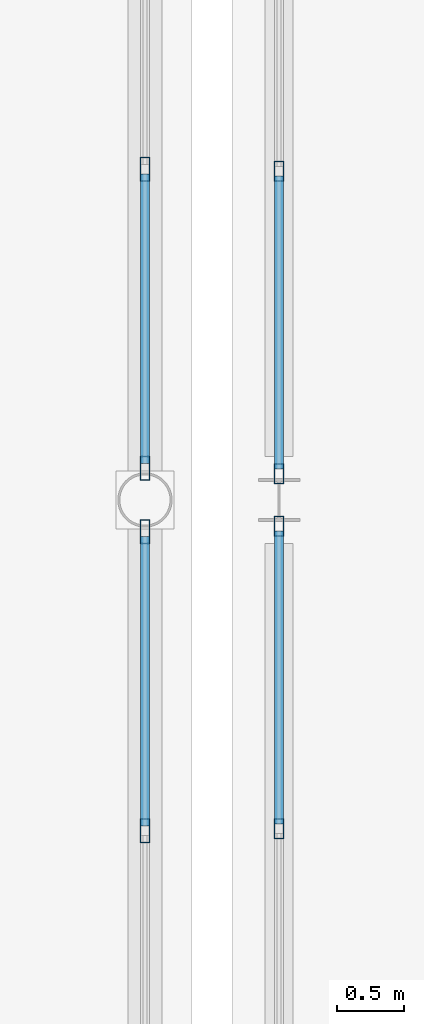
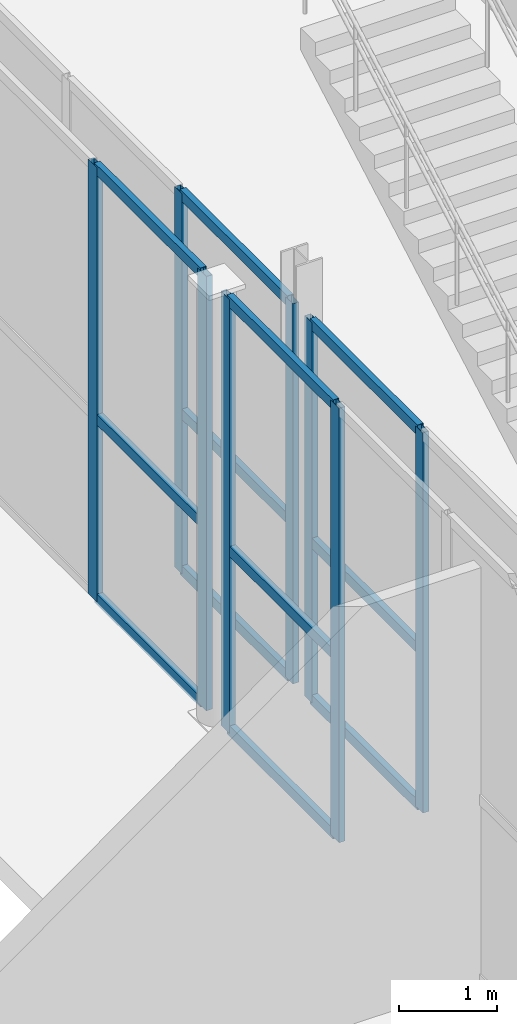
# One storey, part 49 of 83: 20 members, 4 elements without a shape of their own.
"""IFC4 building model written with IfcOpenShell, lengths in metres."""

from ifc_helpers import new_model, si_unit, direction, frame, origin, origin_2d, place, context, subcontext, project, spatial, hollow_rectangle, extrude, material, layer, layer_set, material_profile, profile_set, type_object, element, aggregate, save


model = new_model("IFC4")

# Units and contexts
model_context = context("Model", 3, precision=1e-05, world=origin(), true_north=direction((0.0, 1.0)))
body_context = subcontext(model_context, "Body", "Model", "MODEL_VIEW")
ifc_project = project(units=[si_unit("LENGTHUNIT", "METRE"), si_unit("AREAUNIT", "SQUARE_METRE"), si_unit("VOLUMEUNIT", "CUBIC_METRE"), si_unit("PLANEANGLEUNIT", "RADIAN"), si_unit("MASSUNIT", "GRAM", prefix="KILO")], contexts=[model_context])

# Site, building, storey
site_placement = place(None, origin())
site = spatial("IfcSite", under=ifc_project, at=site_placement, CompositionType="ELEMENT")
building_placement = place(site_placement, origin())
building = spatial("IfcBuilding", under=site, at=building_placement, Name="Quillay Park Conservatory", CompositionType="ELEMENT")
storey_placement = place(building_placement, origin())
storey = spatial("IfcBuildingStorey", under=building, at=storey_placement, Name="L00", CompositionType="ELEMENT", Elevation=0.0)

# Curtain wall, members
ifc_material_1 = material(Name="Thermally Broken Anodised Aluminium 6063-T6", Category="aluminium")
ifc_layer_1 = layer(ifc_material_1, 0.1650390625)
ifc_layer_set_1 = layer_set([ifc_layer_1], Name="UNITISED CURTAIN WALL PODIUM (Thermally Broken Anodised Aluminium 6063-T6)")
curtain_wall_type_1 = type_object("IfcCurtainWallType", Name="UNITISED CURTAIN WALL PODIUM", PredefinedType="USERDEFINED", material=ifc_layer_set_1)
curtain_wall_1_placement = place(storey_placement, origin())
curtain_wall_1 = element("IfcCurtainWall", 1, at=curtain_wall_1_placement, inside=storey, type_object=curtain_wall_type_1, Name="L00 Unitised Curtain Wall 223", ObjectType="UNITISED CURTAIN WALL", PredefinedType="USERDEFINED")
ifc_material_2 = material(Name="Thermally Broken Anodised Aluminium 6063-T6", Category="aluminium")
ifc_material_profile_1 = material_profile(ifc_material_2, hollow_rectangle(XDim=0.070068359375, YDim=0.14990234375, WallThickness=0.00341796875, at=origin_2d()), Name="AL70x150x3.5")
ifc_profile_set_1 = profile_set([ifc_material_profile_1], Name="Thermally Broken Anodised Aluminium 6063-T6")
member_type_1 = type_object("IfcMemberType", Name="CURTAIN WALL MULLION 70 X150", PredefinedType="MULLION", material=ifc_profile_set_1)
member_1_placement = place(storey_placement, frame((115.85009765625, 97.146728515625, 0.0), z_axis=(0.0, 0.0, 1.0), x_axis=(-1.0, 0.0, 0.0)))
member_1 = element("IfcMember", 2, at=member_1_placement, type_object=member_type_1, Name="CW-P1 mullion 3", PredefinedType="MULLION", context=body_context, shape_type="SweptSolid", body=[
    extrude(hollow_rectangle(XDim=0.070068359375, YDim=0.14990234375, WallThickness=0.00341796875, at=origin_2d()), origin(), (0.0, 0.0, 1.0), 4.72900390625),
])
member_2_placement = place(storey_placement, frame((115.85009765625, 99.405029296875, 0.0), z_axis=(0.0, 0.0, 1.0), x_axis=(-1.0, 0.0, 0.0)))
member_2 = element("IfcMember", 3, at=member_2_placement, type_object=member_type_1, Name="CW-P1 mullion 4", PredefinedType="MULLION", context=body_context, shape_type="SweptSolid", body=[
    extrude(hollow_rectangle(XDim=0.070068359375, YDim=0.14990234375, WallThickness=0.00341796875, at=origin_2d()), origin(), (0.0, 0.0, 1.0), 4.72900390625),
])

curtain_wall_2_placement = place(storey_placement, origin())
curtain_wall_2 = element("IfcCurtainWall", 4, at=curtain_wall_2_placement, inside=storey, type_object=curtain_wall_type_1, Name="L00 Unitised Curtain Wall 225", ObjectType="UNITISED CURTAIN WALL", PredefinedType="USERDEFINED")
member_3_placement = place(storey_placement, frame((115.85009765625, 99.794921875, 0.0), z_axis=(0.0, 0.0, 1.0), x_axis=(-1.0, 0.0, 0.0)))
member_3 = element("IfcMember", 5, at=member_3_placement, type_object=member_type_1, Name="CW-P1 mullion 1", PredefinedType="MULLION", context=body_context, shape_type="SweptSolid", body=[
    extrude(hollow_rectangle(XDim=0.070068359375, YDim=0.14990234375, WallThickness=0.00341796875, at=origin_2d()), origin(), (0.0, 0.0, 1.0), 4.72900390625),
])
member_4_placement = place(storey_placement, frame((115.85009765625, 102.05322265625, 0.0), z_axis=(0.0, 0.0, 1.0), x_axis=(-1.0, 0.0, 0.0)))
member_4 = element("IfcMember", 6, at=member_4_placement, type_object=member_type_1, Name="CW-P1 mullion 2", PredefinedType="MULLION", context=body_context, shape_type="SweptSolid", body=[
    extrude(hollow_rectangle(XDim=0.070068359375, YDim=0.14990234375, WallThickness=0.00341796875, at=origin_2d()), origin(), (0.0, 0.0, 1.0), 4.72900390625),
])

ifc_material_3 = material(Name="Thermally Broken Anodised Aluminium 6063-T6", Category="aluminium")
ifc_layer_2 = layer(ifc_material_3, 0.219970703125)
ifc_layer_set_2 = layer_set([ifc_layer_2], Name="UNITISED CURTAIN WALL CONSERVATORY (Thermally Broken Anodised Aluminium 6063-T6)")
curtain_wall_type_2 = type_object("IfcCurtainWallType", Name="UNITISED CURTAIN WALL CONSERVATORY", PredefinedType="USERDEFINED", material=ifc_layer_set_2)
curtain_wall_3_placement = place(storey_placement, origin())
curtain_wall_3 = element("IfcCurtainWall", 7, at=curtain_wall_3_placement, inside=storey, type_object=curtain_wall_type_2, Name="L00 Unitised Curtain Wall 165", ObjectType="UNITISED CURTAIN WALL", PredefinedType="USERDEFINED")
ifc_material_4 = material(Name="Thermally Broken Anodised Aluminium 6063-T6", Category="aluminium")
ifc_material_profile_2 = material_profile(ifc_material_4, hollow_rectangle(XDim=0.070068359375, YDim=0.179931640625, WallThickness=0.00390625, at=origin_2d()), Name="AL70x180x4")
ifc_profile_set_2 = profile_set([ifc_material_profile_2], Name="Thermally Broken Anodised Aluminium 6063-T6")
member_type_2 = type_object("IfcMemberType", Name="CURTAIN WALL MULLION 70 X180", PredefinedType="MULLION", material=ifc_profile_set_2)
member_5_placement = place(storey_placement, frame((114.85009765625, 99.363037109375, 0.0), z_axis=(0.0, 0.0, 1.0), x_axis=(1.0, 0.0, 0.0)))
member_5 = element("IfcMember", 8, at=member_5_placement, type_object=member_type_2, Name="CW-C1 mullion 1", PredefinedType="MULLION", context=body_context, shape_type="SweptSolid", body=[
    extrude(hollow_rectangle(XDim=0.070068359375, YDim=0.179931640625, WallThickness=0.00390625, at=origin_2d()), origin(), (0.0, 0.0, 1.0), 5.39990234375),
])
member_6_placement = place(storey_placement, frame((114.85009765625, 97.132568359375, 0.0), z_axis=(0.0, 0.0, 1.0), x_axis=(1.0, 0.0, 0.0)))
member_6 = element("IfcMember", 9, at=member_6_placement, type_object=member_type_2, Name="CW-C1 mullion 2", PredefinedType="MULLION", context=body_context, shape_type="SweptSolid", body=[
    extrude(hollow_rectangle(XDim=0.070068359375, YDim=0.179931640625, WallThickness=0.00390625, at=origin_2d()), origin(), (0.0, 0.0, 1.0), 5.39990234375),
])

curtain_wall_4_placement = place(storey_placement, origin())
curtain_wall_4 = element("IfcCurtainWall", 10, at=curtain_wall_4_placement, inside=storey, type_object=curtain_wall_type_2, Name="L00 Unitised Curtain Wall 169", ObjectType="UNITISED CURTAIN WALL", PredefinedType="USERDEFINED")
member_7_placement = place(storey_placement, frame((114.85009765625, 102.0673828125, 0.0), z_axis=(0.0, 0.0, 1.0), x_axis=(1.0, 0.0, 0.0)))
member_7 = element("IfcMember", 11, at=member_7_placement, type_object=member_type_2, Name="CW-C1 mullion 3", PredefinedType="MULLION", context=body_context, shape_type="SweptSolid", body=[
    extrude(hollow_rectangle(XDim=0.070068359375, YDim=0.179931640625, WallThickness=0.00390625, at=origin_2d()), origin(), (0.0, 0.0, 1.0), 5.39990234375),
])
member_8_placement = place(storey_placement, frame((114.85009765625, 99.8369140625, 0.0), z_axis=(0.0, 0.0, 1.0), x_axis=(1.0, 0.0, 0.0)))
member_8 = element("IfcMember", 12, at=member_8_placement, type_object=member_type_2, Name="CW-C1 mullion 4", PredefinedType="MULLION", context=body_context, shape_type="SweptSolid", body=[
    extrude(hollow_rectangle(XDim=0.070068359375, YDim=0.179931640625, WallThickness=0.00390625, at=origin_2d()), origin(), (0.0, 0.0, 1.0), 5.39990234375),
])

# Member
ifc_material_5 = material(Name="Thermally Broken Anodised Aluminium 6063-T6", Category="aluminium")
ifc_material_profile_3 = material_profile(ifc_material_5, hollow_rectangle(XDim=0.070068359375, YDim=0.1298828125, WallThickness=0.003173828125, at=origin_2d()), Name="AL70x130x3.2")
ifc_profile_set_3 = profile_set([ifc_material_profile_3], Name="Thermally Broken Anodised Aluminium 6063-T6")
member_type_3 = type_object("IfcMemberType", Name="CURTAIN WALL TRANSOM 70 X130", PredefinedType="USERDEFINED", material=ifc_profile_set_3)
member_9_placement = place(storey_placement, frame((114.85009765625, 99.327880859375, 0.034912109375), z_axis=(0.0, -1.0, 0.0), x_axis=(1.0, 0.0, 0.0)))
member_9 = element("IfcMember", 13, at=member_9_placement, type_object=member_type_3, Name="CW-C1 transom 1.1", ObjectType="TRANSOM", PredefinedType="USERDEFINED", context=body_context, shape_type="SweptSolid", body=[
    extrude(hollow_rectangle(XDim=0.070068359375, YDim=0.1298828125, WallThickness=0.003173828125, at=origin_2d()), origin(), (0.0, 0.0, 1.0), 2.16015625),
])

member_10_placement = place(storey_placement, frame((114.85009765625, 99.327880859375, 2.26806640625), z_axis=(0.0, -1.0, 0.0), x_axis=(1.0, 0.0, 0.0)))
member_10 = element("IfcMember", 14, at=member_10_placement, type_object=member_type_3, Name="CW-C1 transom 1.2", ObjectType="TRANSOM", PredefinedType="USERDEFINED", context=body_context, shape_type="SweptSolid", body=[
    extrude(hollow_rectangle(XDim=0.070068359375, YDim=0.1298828125, WallThickness=0.003173828125, at=origin_2d()), origin(), (0.0, 0.0, 1.0), 2.16015625),
])

member_11_placement = place(storey_placement, frame((114.85009765625, 99.327880859375, 5.364990234375), z_axis=(0.0, -1.0, 0.0), x_axis=(1.0, 0.0, 0.0)))
member_11 = element("IfcMember", 15, at=member_11_placement, type_object=member_type_3, Name="CW-C1 transom 1.3", ObjectType="TRANSOM", PredefinedType="USERDEFINED", context=body_context, shape_type="SweptSolid", body=[
    extrude(hollow_rectangle(XDim=0.070068359375, YDim=0.1298828125, WallThickness=0.003173828125, at=origin_2d()), origin(), (0.0, 0.0, 1.0), 2.16015625),
])

aggregate(curtain_wall_3, [member_5, member_6, member_9, member_10, member_11])

member_12_placement = place(storey_placement, frame((114.85009765625, 102.0322265625, 0.034912109375), z_axis=(0.0, -1.0, 0.0), x_axis=(1.0, 0.0, 0.0)))
member_12 = element("IfcMember", 16, at=member_12_placement, type_object=member_type_3, Name="CW-C1 transom 3.1", ObjectType="TRANSOM", PredefinedType="USERDEFINED", context=body_context, shape_type="SweptSolid", body=[
    extrude(hollow_rectangle(XDim=0.070068359375, YDim=0.1298828125, WallThickness=0.003173828125, at=origin_2d()), origin(), (0.0, 0.0, 1.0), 2.16015625),
])

member_13_placement = place(storey_placement, frame((114.85009765625, 102.0322265625, 2.26806640625), z_axis=(0.0, -1.0, 0.0), x_axis=(1.0, 0.0, 0.0)))
member_13 = element("IfcMember", 17, at=member_13_placement, type_object=member_type_3, Name="CW-C1 transom 3.2", ObjectType="TRANSOM", PredefinedType="USERDEFINED", context=body_context, shape_type="SweptSolid", body=[
    extrude(hollow_rectangle(XDim=0.070068359375, YDim=0.1298828125, WallThickness=0.003173828125, at=origin_2d()), origin(), (0.0, 0.0, 1.0), 2.16015625),
])

member_14_placement = place(storey_placement, frame((114.85009765625, 102.0322265625, 5.364990234375), z_axis=(0.0, -1.0, 0.0), x_axis=(1.0, 0.0, 0.0)))
member_14 = element("IfcMember", 18, at=member_14_placement, type_object=member_type_3, Name="CW-C1 transom 3.3", ObjectType="TRANSOM", PredefinedType="USERDEFINED", context=body_context, shape_type="SweptSolid", body=[
    extrude(hollow_rectangle(XDim=0.070068359375, YDim=0.1298828125, WallThickness=0.003173828125, at=origin_2d()), origin(), (0.0, 0.0, 1.0), 2.16015625),
])

aggregate(curtain_wall_4, [member_7, member_8, member_12, member_13, member_14])

member_15_placement = place(storey_placement, frame((115.85009765625, 97.181640625, 0.034912109375), z_axis=(0.0, 1.0, 0.0), x_axis=(-1.0, 0.0, 0.0)))
member_15 = element("IfcMember", 19, at=member_15_placement, type_object=member_type_3, Name="CW-P1 transom 3.1", ObjectType="TRANSOM", PredefinedType="USERDEFINED", context=body_context, shape_type="SweptSolid", body=[
    extrude(hollow_rectangle(XDim=0.070068359375, YDim=0.1298828125, WallThickness=0.003173828125, at=origin_2d()), origin(), (0.0, 0.0, 1.0), 2.1884765625),
])

member_16_placement = place(storey_placement, frame((115.85009765625, 97.181640625, 1.986083984375), z_axis=(0.0, 1.0, 0.0), x_axis=(-1.0, 0.0, 0.0)))
member_16 = element("IfcMember", 20, at=member_16_placement, type_object=member_type_3, Name="CW-P1 transom 3.2", ObjectType="TRANSOM", PredefinedType="USERDEFINED", context=body_context, shape_type="SweptSolid", body=[
    extrude(hollow_rectangle(XDim=0.070068359375, YDim=0.1298828125, WallThickness=0.003173828125, at=origin_2d()), origin(), (0.0, 0.0, 1.0), 2.1884765625),
])

member_17_placement = place(storey_placement, frame((115.85009765625, 97.181640625, 4.694091796875), z_axis=(0.0, 1.0, 0.0), x_axis=(-1.0, 0.0, 0.0)))
member_17 = element("IfcMember", 21, at=member_17_placement, type_object=member_type_3, Name="CW-P1 transom 3.3", ObjectType="TRANSOM", PredefinedType="USERDEFINED", context=body_context, shape_type="SweptSolid", body=[
    extrude(hollow_rectangle(XDim=0.070068359375, YDim=0.1298828125, WallThickness=0.003173828125, at=origin_2d()), origin(), (0.0, 0.0, 1.0), 2.1884765625),
])

aggregate(curtain_wall_1, [member_1, member_2, member_15, member_16, member_17])

member_18_placement = place(storey_placement, frame((115.85009765625, 99.830078125, 0.034912109375), z_axis=(0.0, 1.0, 0.0), x_axis=(-1.0, 0.0, 0.0)))
member_18 = element("IfcMember", 22, at=member_18_placement, type_object=member_type_3, Name="CW-P1 transom 1.1", ObjectType="TRANSOM", PredefinedType="USERDEFINED", context=body_context, shape_type="SweptSolid", body=[
    extrude(hollow_rectangle(XDim=0.070068359375, YDim=0.1298828125, WallThickness=0.003173828125, at=origin_2d()), origin(), (0.0, 0.0, 1.0), 2.188232421875),
])

member_19_placement = place(storey_placement, frame((115.85009765625, 99.830078125, 1.986083984375), z_axis=(0.0, 1.0, 0.0), x_axis=(-1.0, 0.0, 0.0)))
member_19 = element("IfcMember", 23, at=member_19_placement, type_object=member_type_3, Name="CW-P1 transom 1.2", ObjectType="TRANSOM", PredefinedType="USERDEFINED", context=body_context, shape_type="SweptSolid", body=[
    extrude(hollow_rectangle(XDim=0.070068359375, YDim=0.1298828125, WallThickness=0.003173828125, at=origin_2d()), origin(), (0.0, 0.0, 1.0), 2.188232421875),
])

member_20_placement = place(storey_placement, frame((115.85009765625, 99.830078125, 4.694091796875), z_axis=(0.0, 1.0, 0.0), x_axis=(-1.0, 0.0, 0.0)))
member_20 = element("IfcMember", 24, at=member_20_placement, type_object=member_type_3, Name="CW-P1 transom 1.3", ObjectType="TRANSOM", PredefinedType="USERDEFINED", context=body_context, shape_type="SweptSolid", body=[
    extrude(hollow_rectangle(XDim=0.070068359375, YDim=0.1298828125, WallThickness=0.003173828125, at=origin_2d()), origin(), (0.0, 0.0, 1.0), 2.188232421875),
])

aggregate(curtain_wall_2, [member_3, member_4, member_18, member_19, member_20])

save(model, "model.ifc")
